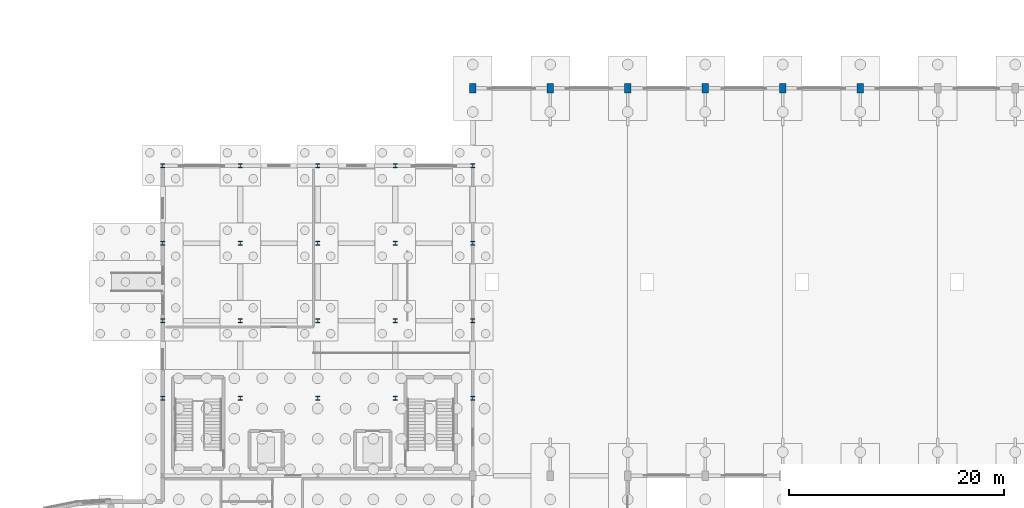
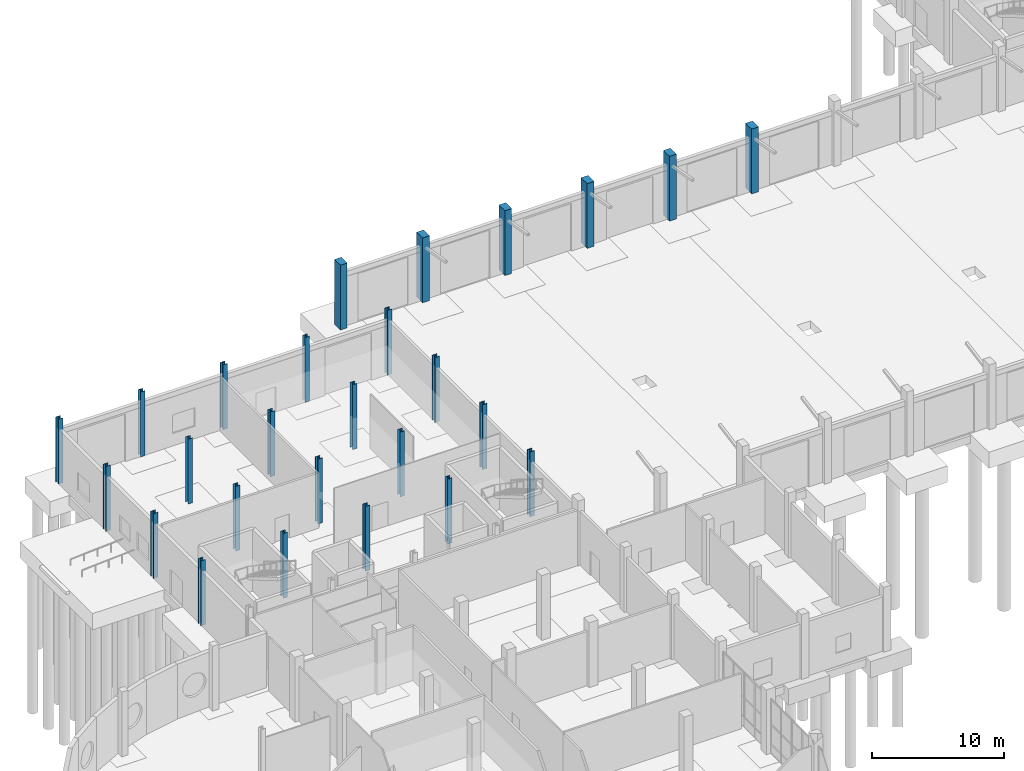
# One storey, part 9 of 45: 26 columns.
"""IFC4 building model written with IfcOpenShell, lengths in metres."""

from ifc_helpers import new_model, si_unit, direction, frame, origin, origin_2d, place, context, subcontext, project, spatial, rectangle, i_section, extrude, material, material_profile, profile_set, type_object, element, save


model = new_model("IFC4")

# Units and contexts
model_context = context("Model", 3, precision=1e-05, world=origin(), true_north=direction((0.0, 1.0)))
body_context = subcontext(model_context, "Body", "Model", "MODEL_VIEW")
ifc_project = project(units=[si_unit("LENGTHUNIT", "METRE"), si_unit("AREAUNIT", "SQUARE_METRE"), si_unit("VOLUMEUNIT", "CUBIC_METRE"), si_unit("PLANEANGLEUNIT", "RADIAN"), si_unit("MASSUNIT", "GRAM", prefix="KILO")], contexts=[model_context])

# Site, building, storey
site_placement = place(None, origin())
site = spatial("IfcSite", under=ifc_project, at=site_placement, CompositionType="ELEMENT")
building_placement = place(site_placement, origin())
building = spatial("IfcBuilding", under=site, at=building_placement, Name="Yarey Park Central Fire Station", CompositionType="ELEMENT")
storey_placement = place(building_placement, origin())
storey = spatial("IfcBuildingStorey", under=building, at=storey_placement, Name="L01", CompositionType="ELEMENT", Elevation=0.0)

# Columns
ifc_material_1 = material(Name="Steel ASTM A992 Gr. 50", Category="steel")
ifc_material_profile_1 = material_profile(ifc_material_1, i_section(OverallWidth=0.404052734375, OverallDepth=0.406982421875, WebThickness=0.027099609375, FlangeThickness=0.043701171875, at=origin_2d()), Name="W360x347")
ifc_profile_set_1 = profile_set([ifc_material_profile_1], Name="Steel ASTM A992 Gr. 50")
column_type_1 = type_object("IfcColumnType", Name="STR_COL_W360_EXT", PredefinedType="COLUMN", material=ifc_profile_set_1)
for number, where, z_axis, x_axis, name in (
    (1, (28.800048828125, 64.800048828125, 0.0), (0.0, 0.0, 1.0), (1.0, 0.0, 0.0), "COL_L01_X288_Y648"),
    (2, (28.800048828125, 72.0, 0.0), (0.0, 0.0, 1.0), (1.0, 0.0, 0.0), "COL_L01_X288_Y720"),
    (3, (28.800048828125, 79.199951171875, 0.0), (0.0, 0.0, 1.0), (1.0, 0.0, 0.0), "COL_L01_X288_Y792"),
    (4, (28.800048828125, 86.39990234375, 0.0), (0.0, 0.0, 1.0), (1.0, 0.0, 0.0), "COL_L01_X288_Y864"),
    (5, (36.0, 86.39990234375, 0.0), (0.0, 0.0, 1.0), (1.0, 0.0, 0.0), "COL_L01_X360_Y864"),
    (6, (43.199951171875, 86.39990234375, 0.0), (0.0, 0.0, 1.0), (1.0, 0.0, 0.0), "COL_L01_X432_Y864"),
    (7, (50.39990234375, 86.39990234375, 0.0), (0.0, 0.0, 1.0), (1.0, 0.0, 0.0), "COL_L01_X504_Y864"),
    (8, (57.60009765625, 64.800048828125, 0.0), (0.0, 0.0, 1.0), (1.0, 0.0, 0.0), "COL_L01_X576_Y648"),
    (9, (57.60009765625, 72.0, 0.0), (0.0, 0.0, 1.0), (1.0, 0.0, 0.0), "COL_L01_X576_Y720"),
    (10, (57.60009765625, 79.199951171875, 0.0), (0.0, 0.0, 1.0), (1.0, 0.0, 0.0), "COL_L01_X576_Y792"),
    (11, (57.60009765625, 86.39990234375, 0.0), (0.0, 0.0, 1.0), (1.0, 0.0, 0.0), "COL_L01_X576_Y864"),
):
    element("IfcColumn", number, at=place(storey_placement, frame(where, z_axis=z_axis, x_axis=x_axis)), inside=storey, type_object=column_type_1, Name=name, PredefinedType="COLUMN", context=body_context, shape_type="SweptSolid", body=[
        extrude(i_section(OverallWidth=0.404052734375, OverallDepth=0.406982421875, WebThickness=0.027099609375, FlangeThickness=0.043701171875, at=origin_2d()), origin(), (0.0, 0.0, 1.0), 6.0),
    ])
ifc_material_profile_2 = material_profile(ifc_material_1, i_section(OverallWidth=0.404052734375, OverallDepth=0.406982421875, WebThickness=0.027099609375, FlangeThickness=0.043701171875, at=origin_2d()), Name="W360x347")
ifc_profile_set_2 = profile_set([ifc_material_profile_2], Name="Steel ASTM A992 Gr. 50")
column_type_2 = type_object("IfcColumnType", Name="STR_COL_W360_INT", PredefinedType="COLUMN", material=ifc_profile_set_2)
for number, where, z_axis, x_axis, name in (
    (12, (36.0, 64.800048828125, 0.0), (0.0, 0.0, 1.0), (1.0, 0.0, 0.0), "COL_L01_X360_Y648"),
    (13, (36.0, 72.0, 0.0), (0.0, 0.0, 1.0), (1.0, 0.0, 0.0), "COL_L01_X360_Y720"),
    (14, (36.0, 79.199951171875, 0.0), (0.0, 0.0, 1.0), (1.0, 0.0, 0.0), "COL_L01_X360_Y792"),
    (15, (43.199951171875, 64.800048828125, 0.0), (0.0, 0.0, 1.0), (1.0, 0.0, 0.0), "COL_L01_X432_Y648"),
    (16, (43.199951171875, 72.0, 0.0), (0.0, 0.0, 1.0), (1.0, 0.0, 0.0), "COL_L01_X432_Y720"),
    (17, (43.199951171875, 79.199951171875, 0.0), (0.0, 0.0, 1.0), (1.0, 0.0, 0.0), "COL_L01_X432_Y792"),
    (18, (50.39990234375, 64.800048828125, 0.0), (0.0, 0.0, 1.0), (1.0, 0.0, 0.0), "COL_L01_X504_Y648"),
    (19, (50.39990234375, 72.0, 0.0), (0.0, 0.0, 1.0), (1.0, 0.0, 0.0), "COL_L01_X504_Y720"),
    (20, (50.39990234375, 79.199951171875, 0.0), (0.0, 0.0, 1.0), (1.0, 0.0, 0.0), "COL_L01_X504_Y792"),
):
    element("IfcColumn", number, at=place(storey_placement, frame(where, z_axis=z_axis, x_axis=x_axis)), inside=storey, type_object=column_type_2, Name=name, PredefinedType="COLUMN", context=body_context, shape_type="SweptSolid", body=[
        extrude(i_section(OverallWidth=0.404052734375, OverallDepth=0.406982421875, WebThickness=0.027099609375, FlangeThickness=0.043701171875, at=origin_2d()), origin(), (0.0, 0.0, 1.0), 6.0),
    ])
ifc_material_2 = material(Name="Concrete C40/50", Category="concrete")
ifc_material_profile_3 = material_profile(ifc_material_2, rectangle(XDim=0.60009765625, YDim=0.89990234375, at=origin_2d()), Name="RC 900x600")
ifc_profile_set_3 = profile_set([ifc_material_profile_3], Name="Concrete C40/50")
column_type_3 = type_object("IfcColumnType", Name="STR_PIER_ARCH", PredefinedType="PILASTER", material=ifc_profile_set_3)
for number, where, z_axis, x_axis, name in (
    (21, (57.60009765625, 93.60009765625, 0.0), (0.0, 0.0, 1.0), (1.0, 0.0, 0.0), "COL_L01_X576_Y936"),
    (22, (64.800048828125, 93.60009765625, 0.0), (0.0, 0.0, 1.0), (1.0, 0.0, 0.0), "COL_L01_X648_Y936"),
    (23, (72.0, 93.60009765625, 0.0), (0.0, 0.0, 1.0), (1.0, 0.0, 0.0), "COL_L01_X720_Y936"),
    (24, (79.199951171875, 93.60009765625, 0.0), (0.0, 0.0, 1.0), (1.0, 0.0, 0.0), "COL_L01_X792_Y936"),
    (25, (86.39990234375, 93.60009765625, 0.0), (0.0, 0.0, 1.0), (1.0, 0.0, 0.0), "COL_L01_X864_Y936"),
    (26, (93.60009765625, 93.60009765625, 0.0), (0.0, 0.0, 1.0), (1.0, 0.0, 0.0), "COL_L01_X936_Y936"),
):
    element("IfcColumn", number, at=place(storey_placement, frame(where, z_axis=z_axis, x_axis=x_axis)), inside=storey, type_object=column_type_3, Name=name, PredefinedType="PILASTER", context=body_context, shape_type="SweptSolid", body=[
        extrude(rectangle(XDim=0.60009765625, YDim=0.89990234375, at=origin_2d()), origin(), (0.0, 0.0, 1.0), 6.0),
    ])

save(model, "model.ifc")
